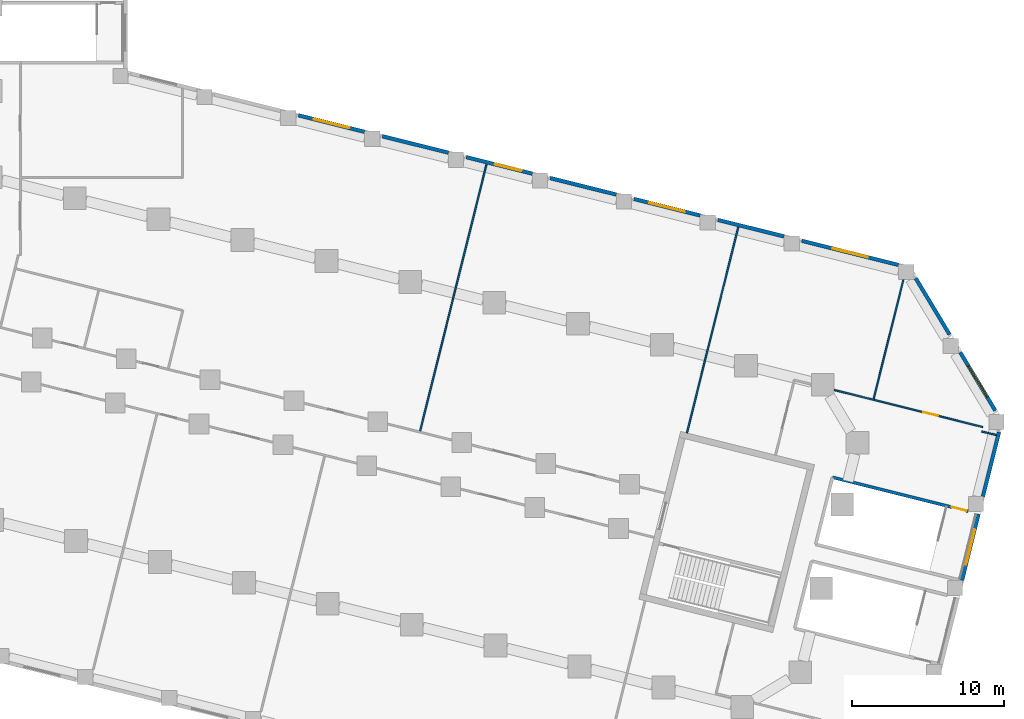
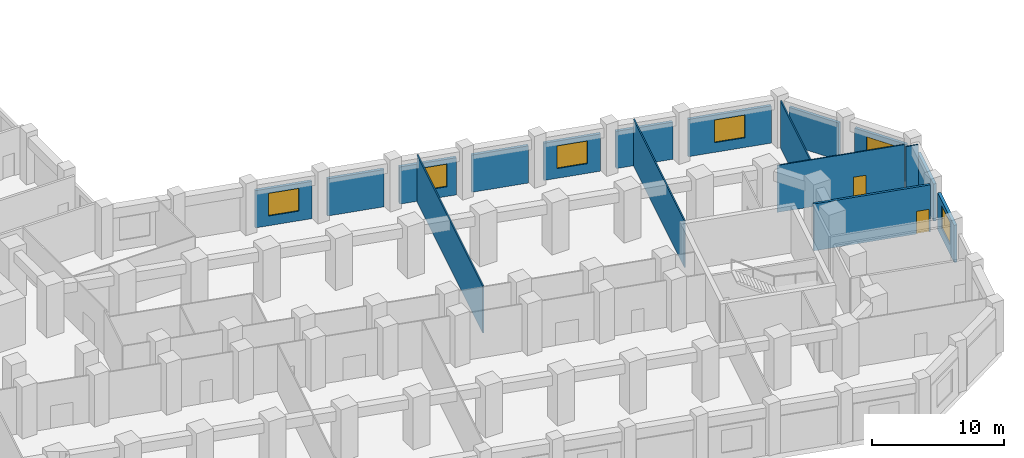
# One storey, part 8 of 13: 17 walls, 6 windows, 2 doors, 8 openings.
"""IFC4 building model written with IfcOpenShell, lengths in metres."""

from ifc_helpers import new_model, si_unit, direction, frame, frame_2d, origin, place, context, subcontext, project, spatial, rectangle, extrude, material, layer, layer_set, type_object, element, fill, save


model = new_model("IFC4")

# Units and contexts
model_context = context("Model", 3, precision=1e-05, world=origin(), true_north=direction((0.0, 1.0)))
body_context = subcontext(model_context, "Body", "Model", "MODEL_VIEW")
ifc_project = project(units=[si_unit("LENGTHUNIT", "METRE"), si_unit("AREAUNIT", "SQUARE_METRE"), si_unit("VOLUMEUNIT", "CUBIC_METRE"), si_unit("PLANEANGLEUNIT", "RADIAN"), si_unit("MASSUNIT", "GRAM", prefix="KILO")], contexts=[model_context])

# Site, building, storey
site_placement = place(None, origin())
site = spatial("IfcSite", under=ifc_project, at=site_placement, CompositionType="ELEMENT")
building_placement = place(site_placement, origin())
building = spatial("IfcBuilding", under=site, at=building_placement, Name="Meshkara Civic Tower", CompositionType="ELEMENT")
storey_placement = place(building_placement, frame((0.0, 0.0, 28.199951171875)))
storey = spatial("IfcBuildingStorey", under=building, at=storey_placement, Name="L05", CompositionType="ELEMENT", Elevation=28.199951171875)

# Wall, opening, door
ifc_material_1 = material(Name="Corridor wall 100")
ifc_layer_1 = layer(ifc_material_1, 0.10009765625)
ifc_layer_set_1 = layer_set([ifc_layer_1], Name="Corridor wall 100")
wall_type_1 = type_object("IfcWallType", Name="Corridor wall 100", PredefinedType="PARTITIONING", material=ifc_layer_set_1)
wall_1_placement = place(storey_placement, frame((88.9560546875, 0.699951171875, 0.0), z_axis=(0.0, 0.0, 1.0), x_axis=(0.970310450884, -0.241862830763, 0.0)))
wall_1 = element("IfcWall", 1, at=wall_1_placement, inside=storey, type_object=wall_type_1, Name="L05-R078", PredefinedType="PARTITIONING", context=body_context, shape_type="SweptSolid", body=[
    extrude(rectangle(XDim=10.075927734375, YDim=0.10009765625, at=frame_2d((5.0380859375, 0.0))), origin(), (0.0, 0.0, 1.0), 4.35009765625),
])
opening_1_placement = place(wall_1_placement, frame((6.034912109375, 0.0, 0.0)))
opening_1 = element("IfcOpeningElement", 2, at=opening_1_placement, cuts=wall_1, Name="Opening L05-P014", PredefinedType="OPENING", context=body_context, shape_type="SweptSolid", body=[
    extrude(rectangle(XDim=1.0, YDim=2.10009765625, at=frame_2d((0.5, 1.050048828125))), frame((0.0, 0.06005859375, 0.0), z_axis=(0.0, -1.0, 0.0), x_axis=(1.0, 0.0, 0.0)), (0.0, 0.0, 1.0), 0.1201171875),
])
ifc_material_2 = material(Name="Door 1000 x 2100")
door_type = type_object("IfcDoorType", Name="Door 1000 x 2100", OperationType="SINGLE_SWING_LEFT", PredefinedType="DOOR", material=ifc_material_2)
door_1_placement = place(opening_1_placement, origin())
door_1 = element("IfcDoor", 3, at=door_1_placement, inside=storey, type_object=door_type, Name="L05-P014", OperationType="SINGLE_SWING_LEFT", OverallHeight=2.10009765625, OverallWidth=1.0, PredefinedType="DOOR", context=body_context, shape_type="SweptSolid", body=[
    extrude(rectangle(XDim=1.0, YDim=2.10009765625, at=frame_2d((0.5, 1.050048828125))), frame((0.0, 0.02490234375, 0.0), z_axis=(0.0, -1.0, 0.0), x_axis=(1.0, 0.0, 0.0)), (0.0, 0.0, 1.0), 0.050048828125),
])
fill(opening_1, door_1)

# Wall
wall_2_placement = place(storey_placement, frame((99.63037109375, -2.27001953125, 0.0), z_axis=(0.0, 0.0, 1.0), x_axis=(-0.970300241929, 0.241903783585, 0.0)))
element("IfcWall", 4, at=wall_2_placement, inside=storey, type_object=wall_type_1, Name="L05-R081", PredefinedType="PARTITIONING", context=body_context, shape_type="SweptSolid", body=[
    extrude(rectangle(XDim=1.000244140625, YDim=0.10009765625, at=frame_2d((0.5, 0.0))), origin(), (0.0, 0.0, 1.0), 4.35009765625),
])

# Wall, opening, window
ifc_material_3 = material(Name="Stone cladding on insulated backing wall", Category="masonry")
ifc_layer_2 = layer(ifc_material_3, 0.25)
ifc_layer_set_2 = layer_set([ifc_layer_2], Name="PODIUM STONE WALL 250")
wall_type_2 = type_object("IfcWallType", Name="PODIUM STONE WALL 250", PredefinedType="SOLIDWALL", material=ifc_layer_set_2)
wall_3_placement = place(storey_placement, frame((97.373046875, -11.837890625, 0.0), z_axis=(0.0, 0.0, 1.0), x_axis=(0.241946839653, 0.970289506684, 0.0)))
wall_3 = element("IfcWall", 5, at=wall_3_placement, inside=storey, type_object=wall_type_2, Name="Podium external wall", PredefinedType="SOLIDWALL", context=body_context, shape_type="SweptSolid", body=[
    extrude(rectangle(XDim=4.48828125, YDim=0.25, at=frame_2d((2.244140625, 0.0))), origin(), (0.0, 0.0, 1.0), 3.449951171875),
])
opening_2_placement = place(wall_3_placement, frame((1.0439453125, 0.0, 0.89990234375)))
opening_2 = element("IfcOpeningElement", 6, at=opening_2_placement, cuts=wall_3, Name="Opening PW10", PredefinedType="OPENING", context=body_context, shape_type="SweptSolid", body=[
    extrude(rectangle(XDim=2.39990234375, YDim=2.10009765625, at=frame_2d((1.199951171875, 1.050048828125))), frame((0.0, 0.135009765625, 0.0), z_axis=(0.0, -1.0, 0.0), x_axis=(1.0, 0.0, 0.0)), (0.0, 0.0, 1.0), 0.27001953125),
])
ifc_material_4 = material(Name="Tinted double glazing", Category="glass")
window_type_1 = type_object("IfcWindowType", Name="PODIUM WINDOW 2400x2100", PartitioningType="DOUBLE_PANEL_VERTICAL", PredefinedType="WINDOW", material=ifc_material_4)
window_1_placement = place(opening_2_placement, origin())
window_1 = element("IfcWindow", 7, at=window_1_placement, inside=storey, type_object=window_type_1, Name="Podium window", OverallHeight=2.10009765625, OverallWidth=2.39990234375, PartitioningType="DOUBLE_PANEL_VERTICAL", PredefinedType="WINDOW", context=body_context, shape_type="SweptSolid", body=[
    extrude(rectangle(XDim=2.39990234375, YDim=2.10009765625, at=frame_2d((1.199951171875, 1.050048828125))), frame((0.0, 0.030029296875, 0.0), z_axis=(0.0, -1.0, 0.0), x_axis=(1.0, 0.0, 0.0)), (0.0, 0.0, 1.0), 0.06005859375),
])
fill(opening_2, window_1)

# Wall
wall_4_placement = place(storey_placement, frame((98.7529296875, -6.306884765625, 0.0), z_axis=(0.0, 0.0, 1.0), x_axis=(0.241823818975, 0.97032017426, 0.0)))
element("IfcWall", 8, at=wall_4_placement, inside=storey, type_object=wall_type_2, Name="Podium external wall", PredefinedType="SOLIDWALL", context=body_context, shape_type="SweptSolid", body=[
    extrude(rectangle(XDim=4.3583984375, YDim=0.25, at=frame_2d((2.17919921875, 0.0))), origin(), (0.0, 0.0, 1.0), 3.449951171875),
])

# Wall, opening, window
wall_5_placement = place(storey_placement, frame((99.56298828125, -0.655029296875, 0.0), z_axis=(0.0, 0.0, 1.0), x_axis=(-0.515145569797, 0.857102702083, 0.0)))
wall_5 = element("IfcWall", 9, at=wall_5_placement, inside=storey, type_object=wall_type_2, Name="Podium external wall", PredefinedType="SOLIDWALL", context=body_context, shape_type="SweptSolid", body=[
    extrude(rectangle(XDim=4.474365234375, YDim=0.25, at=frame_2d((2.2373046875, 0.0))), origin(), (0.0, 0.0, 1.0), 3.449951171875),
])
opening_3_placement = place(wall_5_placement, frame((1.037109375, 0.0, 0.89990234375)))
opening_3 = element("IfcOpeningElement", 10, at=opening_3_placement, cuts=wall_5, Name="Opening PW10", PredefinedType="OPENING", context=body_context, shape_type="SweptSolid", body=[
    extrude(rectangle(XDim=2.39990234375, YDim=2.10009765625, at=frame_2d((1.199951171875, 1.050048828125))), frame((0.0, 0.135009765625, 0.0), z_axis=(0.0, -1.0, 0.0), x_axis=(1.0, 0.0, 0.0)), (0.0, 0.0, 1.0), 0.27001953125),
])
window_2_placement = place(opening_3_placement, origin())
window_2 = element("IfcWindow", 11, at=window_2_placement, inside=storey, type_object=window_type_1, Name="Podium window", OverallHeight=2.10009765625, OverallWidth=2.39990234375, PartitioningType="DOUBLE_PANEL_VERTICAL", PredefinedType="WINDOW", context=body_context, shape_type="SweptSolid", body=[
    extrude(rectangle(XDim=2.39990234375, YDim=2.10009765625, at=frame_2d((1.199951171875, 1.050048828125))), frame((0.0, 0.030029296875, 0.0), z_axis=(0.0, -1.0, 0.0), x_axis=(1.0, 0.0, 0.0)), (0.0, 0.0, 1.0), 0.06005859375),
])
fill(opening_3, window_2)

# Wall
wall_6_placement = place(storey_placement, frame((96.552001953125, 4.35595703125, 0.0), z_axis=(0.0, 0.0, 1.0), x_axis=(-0.51527536796, 0.857024675942, 0.0)))
element("IfcWall", 12, at=wall_6_placement, inside=storey, type_object=wall_type_2, Name="Podium external wall", PredefinedType="SOLIDWALL", context=body_context, shape_type="SweptSolid", body=[
    extrude(rectangle(XDim=4.32763671875, YDim=0.25, at=frame_2d((2.163818359375, 0.0))), origin(), (0.0, 0.0, 1.0), 3.449951171875),
])

# Wall, opening, window
wall_7_placement = place(storey_placement, frame((93.180908203125, 8.947021484375, 0.0), z_axis=(0.0, 0.0, 1.0), x_axis=(-0.970262712144, 0.242054269584, 0.0)))
wall_7 = element("IfcWall", 13, at=wall_7_placement, inside=storey, type_object=wall_type_2, Name="Podium external wall", PredefinedType="SOLIDWALL", context=body_context, shape_type="SweptSolid", body=[
    extrude(rectangle(XDim=6.564208984375, YDim=0.25, at=frame_2d((3.2822265625, 0.0))), origin(), (0.0, 0.0, 1.0), 3.449951171875),
])
opening_4_placement = place(wall_7_placement, frame((2.08203125, 0.0, 0.89990234375)))
opening_4 = element("IfcOpeningElement", 14, at=opening_4_placement, cuts=wall_7, Name="Opening PW10", PredefinedType="OPENING", context=body_context, shape_type="SweptSolid", body=[
    extrude(rectangle(XDim=2.39990234375, YDim=2.10009765625, at=frame_2d((1.199951171875, 1.050048828125))), frame((0.0, 0.135009765625, 0.0), z_axis=(0.0, -1.0, 0.0), x_axis=(1.0, 0.0, 0.0)), (0.0, 0.0, 1.0), 0.27001953125),
])
window_3_placement = place(opening_4_placement, origin())
window_3 = element("IfcWindow", 15, at=window_3_placement, inside=storey, type_object=window_type_1, Name="Podium window", OverallHeight=2.10009765625, OverallWidth=2.39990234375, PartitioningType="DOUBLE_PANEL_VERTICAL", PredefinedType="WINDOW", context=body_context, shape_type="SweptSolid", body=[
    extrude(rectangle(XDim=2.39990234375, YDim=2.10009765625, at=frame_2d((1.199951171875, 1.050048828125))), frame((0.0, 0.030029296875, 0.0), z_axis=(0.0, -1.0, 0.0), x_axis=(1.0, 0.0, 0.0)), (0.0, 0.0, 1.0), 0.06005859375),
])
fill(opening_4, window_3)

# Wall
wall_8_placement = place(storey_placement, frame((85.635986328125, 10.8291015625, 0.0), z_axis=(0.0, 0.0, 1.0), x_axis=(-0.970327846266, 0.241793032904, 0.0)))
element("IfcWall", 16, at=wall_8_placement, inside=storey, type_object=wall_type_2, Name="Podium external wall", PredefinedType="SOLIDWALL", context=body_context, shape_type="SweptSolid", body=[
    extrude(rectangle(XDim=4.487060546875, YDim=0.25, at=frame_2d((2.24365234375, 0.0))), origin(), (0.0, 0.0, 1.0), 3.449951171875),
])

# Wall, opening, window
wall_9_placement = place(storey_placement, frame((80.10595703125, 12.2080078125, 0.0), z_axis=(0.0, 0.0, 1.0), x_axis=(-0.970289506684, 0.241946839653, 0.0)))
wall_9 = element("IfcWall", 17, at=wall_9_placement, inside=storey, type_object=wall_type_2, Name="Podium external wall", PredefinedType="SOLIDWALL", context=body_context, shape_type="SweptSolid", body=[
    extrude(rectangle(XDim=4.48828125, YDim=0.25, at=frame_2d((2.244140625, 0.0))), origin(), (0.0, 0.0, 1.0), 3.449951171875),
])
opening_5_placement = place(wall_9_placement, frame((1.0439453125, 0.0, 0.89990234375)))
opening_5 = element("IfcOpeningElement", 18, at=opening_5_placement, cuts=wall_9, Name="Opening PW10", PredefinedType="OPENING", context=body_context, shape_type="SweptSolid", body=[
    extrude(rectangle(XDim=2.39990234375, YDim=2.10009765625, at=frame_2d((1.199951171875, 1.050048828125))), frame((0.0, 0.135009765625, 0.0), z_axis=(0.0, -1.0, 0.0), x_axis=(1.0, 0.0, 0.0)), (0.0, 0.0, 1.0), 0.27001953125),
])
window_4_placement = place(opening_5_placement, origin())
window_4 = element("IfcWindow", 19, at=window_4_placement, inside=storey, type_object=window_type_1, Name="Podium window", OverallHeight=2.10009765625, OverallWidth=2.39990234375, PartitioningType="DOUBLE_PANEL_VERTICAL", PredefinedType="WINDOW", context=body_context, shape_type="SweptSolid", body=[
    extrude(rectangle(XDim=2.39990234375, YDim=2.10009765625, at=frame_2d((1.199951171875, 1.050048828125))), frame((0.0, 0.030029296875, 0.0), z_axis=(0.0, -1.0, 0.0), x_axis=(1.0, 0.0, 0.0)), (0.0, 0.0, 1.0), 0.06005859375),
])
fill(opening_5, window_4)

# Wall
wall_10_placement = place(storey_placement, frame((74.574951171875, 13.5869140625, 0.0), z_axis=(0.0, 0.0, 1.0), x_axis=(-0.970276735926, 0.241998049004, 0.0)))
element("IfcWall", 20, at=wall_10_placement, inside=storey, type_object=wall_type_2, Name="Podium external wall", PredefinedType="SOLIDWALL", context=body_context, shape_type="SweptSolid", body=[
    extrude(rectangle(XDim=4.48828125, YDim=0.25, at=frame_2d((2.244140625, 0.0))), origin(), (0.0, 0.0, 1.0), 3.449951171875),
])

# Wall, opening, window
wall_11_placement = place(storey_placement, frame((69.0439453125, 14.966064453125, 0.0), z_axis=(0.0, 0.0, 1.0), x_axis=(-0.970276766004, 0.241997928406, 0.0)))
wall_11 = element("IfcWall", 21, at=wall_11_placement, inside=storey, type_object=wall_type_2, Name="Podium external wall", PredefinedType="SOLIDWALL", context=body_context, shape_type="SweptSolid", body=[
    extrude(rectangle(XDim=4.4873046875, YDim=0.25, at=frame_2d((2.24365234375, 0.0))), origin(), (0.0, 0.0, 1.0), 3.449951171875),
])
opening_6_placement = place(wall_11_placement, frame((0.736083984375, 0.0, 0.89990234375)))
opening_6 = element("IfcOpeningElement", 22, at=opening_6_placement, cuts=wall_11, Name="Opening PW11", PredefinedType="OPENING", context=body_context, shape_type="SweptSolid", body=[
    extrude(rectangle(XDim=1.800048828125, YDim=2.10009765625, at=frame_2d((0.89990234375, 1.050048828125))), frame((0.0, 0.135009765625, 0.0), z_axis=(0.0, -1.0, 0.0), x_axis=(1.0, 0.0, 0.0)), (0.0, 0.0, 1.0), 0.27001953125),
])
ifc_material_5 = material(Name="Tinted double glazing", Category="glass")
window_type_2 = type_object("IfcWindowType", Name="PODIUM WINDOW 1800x2100", PartitioningType="DOUBLE_PANEL_VERTICAL", PredefinedType="WINDOW", material=ifc_material_5)
window_5_placement = place(opening_6_placement, origin())
window_5 = element("IfcWindow", 23, at=window_5_placement, inside=storey, type_object=window_type_2, Name="Podium window", OverallHeight=2.10009765625, OverallWidth=1.800048828125, PartitioningType="DOUBLE_PANEL_VERTICAL", PredefinedType="WINDOW", context=body_context, shape_type="SweptSolid", body=[
    extrude(rectangle(XDim=1.800048828125, YDim=2.10009765625, at=frame_2d((0.89990234375, 1.050048828125))), frame((0.0, 0.030029296875, 0.0), z_axis=(0.0, -1.0, 0.0), x_axis=(1.0, 0.0, 0.0)), (0.0, 0.0, 1.0), 0.06005859375),
])
fill(opening_6, window_5)

# Wall
wall_12_placement = place(storey_placement, frame((63.513916015625, 16.344970703125, 0.0), z_axis=(0.0, 0.0, 1.0), x_axis=(-0.970289506684, 0.241946839653, 0.0)))
element("IfcWall", 24, at=wall_12_placement, inside=storey, type_object=wall_type_2, Name="Podium external wall", PredefinedType="SOLIDWALL", context=body_context, shape_type="SweptSolid", body=[
    extrude(rectangle(XDim=4.48828125, YDim=0.25, at=frame_2d((2.244140625, 0.0))), origin(), (0.0, 0.0, 1.0), 3.449951171875),
])

# Wall, opening, window
wall_13_placement = place(storey_placement, frame((57.98291015625, 17.72412109375, 0.0), z_axis=(0.0, 0.0, 1.0), x_axis=(-0.970289506684, 0.241946839653, 0.0)))
wall_13 = element("IfcWall", 25, at=wall_13_placement, inside=storey, type_object=wall_type_2, Name="Podium external wall", PredefinedType="SOLIDWALL", context=body_context, shape_type="SweptSolid", body=[
    extrude(rectangle(XDim=4.48828125, YDim=0.25, at=frame_2d((2.244140625, 0.0))), origin(), (0.0, 0.0, 1.0), 3.449951171875),
])
opening_7_placement = place(wall_13_placement, frame((1.0439453125, 0.0, 0.89990234375)))
opening_7 = element("IfcOpeningElement", 26, at=opening_7_placement, cuts=wall_13, Name="Opening PW10", PredefinedType="OPENING", context=body_context, shape_type="SweptSolid", body=[
    extrude(rectangle(XDim=2.39990234375, YDim=2.10009765625, at=frame_2d((1.199951171875, 1.050048828125))), frame((0.0, 0.135009765625, 0.0), z_axis=(0.0, -1.0, 0.0), x_axis=(1.0, 0.0, 0.0)), (0.0, 0.0, 1.0), 0.27001953125),
])
window_6_placement = place(opening_7_placement, origin())
window_6 = element("IfcWindow", 27, at=window_6_placement, inside=storey, type_object=window_type_1, Name="Podium window", OverallHeight=2.10009765625, OverallWidth=2.39990234375, PartitioningType="DOUBLE_PANEL_VERTICAL", PredefinedType="WINDOW", context=body_context, shape_type="SweptSolid", body=[
    extrude(rectangle(XDim=2.39990234375, YDim=2.10009765625, at=frame_2d((1.199951171875, 1.050048828125))), frame((0.0, 0.030029296875, 0.0), z_axis=(0.0, -1.0, 0.0), x_axis=(1.0, 0.0, 0.0)), (0.0, 0.0, 1.0), 0.06005859375),
])
fill(opening_7, window_6)

# Walls
ifc_material_6 = material(Name="Partition 100")
ifc_layer_3 = layer(ifc_material_6, 0.10009765625)
ifc_layer_set_3 = layer_set([ifc_layer_3], Name="Partition 100")
wall_type_3 = type_object("IfcWallType", Name="Partition 100", PredefinedType="PARTITIONING", material=ifc_layer_set_3)
wall_14_placement = place(storey_placement, frame((61.64208984375, -2.02197265625, 0.0), z_axis=(0.0, 0.0, 1.0), x_axis=(0.24187722117, 0.97030686377, 0.0)))
element("IfcWall", 28, at=wall_14_placement, inside=storey, type_object=wall_type_3, Name="L05-R107", PredefinedType="PARTITIONING", context=body_context, shape_type="SweptSolid", body=[
    extrude(rectangle(XDim=18.149169921875, YDim=0.10009765625, at=frame_2d((9.07470703125, 0.0))), origin(), (0.0, 0.0, 1.0), 4.35009765625),
])
wall_15_placement = place(storey_placement, frame((79.238037109375, -2.133056640625, 0.0), z_axis=(0.0, 0.0, 1.0), x_axis=(0.241850296719, 0.970313575076, 0.0)))
element("IfcWall", 29, at=wall_15_placement, inside=storey, type_object=wall_type_3, Name="L05-R109", PredefinedType="PARTITIONING", context=body_context, shape_type="SweptSolid", body=[
    extrude(rectangle(XDim=13.999267578125, YDim=0.10009765625, at=frame_2d((6.99951171875, 0.0))), origin(), (0.0, 0.0, 1.0), 4.35009765625),
])
wall_16_placement = place(storey_placement, frame((91.544921875, 0.10693359375, 0.0), z_axis=(0.0, 0.0, 1.0), x_axis=(0.242003618955, 0.970275346699, 0.0)))
element("IfcWall", 30, at=wall_16_placement, inside=storey, type_object=wall_type_3, Name="L05-R110", PredefinedType="PARTITIONING", context=body_context, shape_type="SweptSolid", body=[
    extrude(rectangle(XDim=8.098876953125, YDim=0.10009765625, at=frame_2d((4.04931640625, 0.0))), origin(), (0.0, 0.0, 1.0), 4.35009765625),
])

# Wall, opening, door
ifc_material_7 = material(Name="Concrete C40/50", Category="concrete")
ifc_layer_4 = layer(ifc_material_7, 0.199951171875)
ifc_layer_set_4 = layer_set([ifc_layer_4], Name="Stair enclosure wall 200 C40/50")
wall_type_4 = type_object("IfcWallType", Name="Stair enclosure wall 200 C40/50", PredefinedType="SOLIDWALL", material=ifc_layer_set_4)
wall_17_placement = place(storey_placement, frame((88.8349609375, -5.055908203125, 0.0), z_axis=(0.0, 0.0, 1.0), x_axis=(0.97028891911, -0.241949196016, 0.0)))
wall_17 = element("IfcWall", 31, at=wall_17_placement, inside=storey, type_object=wall_type_4, Name="L05-R077", PredefinedType="SOLIDWALL", context=body_context, shape_type="SweptSolid", body=[
    extrude(rectangle(XDim=9.208740234375, YDim=0.199951171875, at=frame_2d((4.6044921875, 0.0))), origin(), (0.0, 0.0, 1.0), 4.35009765625),
])
opening_8_placement = place(wall_17_placement, frame((8.10009765625, 0.0, 0.0)))
opening_8 = element("IfcOpeningElement", 32, at=opening_8_placement, cuts=wall_17, Name="Opening L05-P006", PredefinedType="OPENING", context=body_context, shape_type="SweptSolid", body=[
    extrude(rectangle(XDim=1.0, YDim=2.10009765625, at=frame_2d((0.5, 1.050048828125))), frame((0.0, 0.10986328125, 0.0), z_axis=(0.0, -1.0, 0.0), x_axis=(1.0, 0.0, 0.0)), (0.0, 0.0, 1.0), 0.219970703125),
])
door_2_placement = place(opening_8_placement, origin())
door_2 = element("IfcDoor", 33, at=door_2_placement, inside=storey, type_object=door_type, Name="L05-P006", OperationType="SINGLE_SWING_LEFT", OverallHeight=2.10009765625, OverallWidth=1.0, PredefinedType="DOOR", context=body_context, shape_type="SweptSolid", body=[
    extrude(rectangle(XDim=1.0, YDim=2.10009765625, at=frame_2d((0.5, 1.050048828125))), frame((0.0, 0.02490234375, 0.0), z_axis=(0.0, -1.0, 0.0), x_axis=(1.0, 0.0, 0.0)), (0.0, 0.0, 1.0), 0.050048828125),
])
fill(opening_8, door_2)

save(model, "model.ifc")
